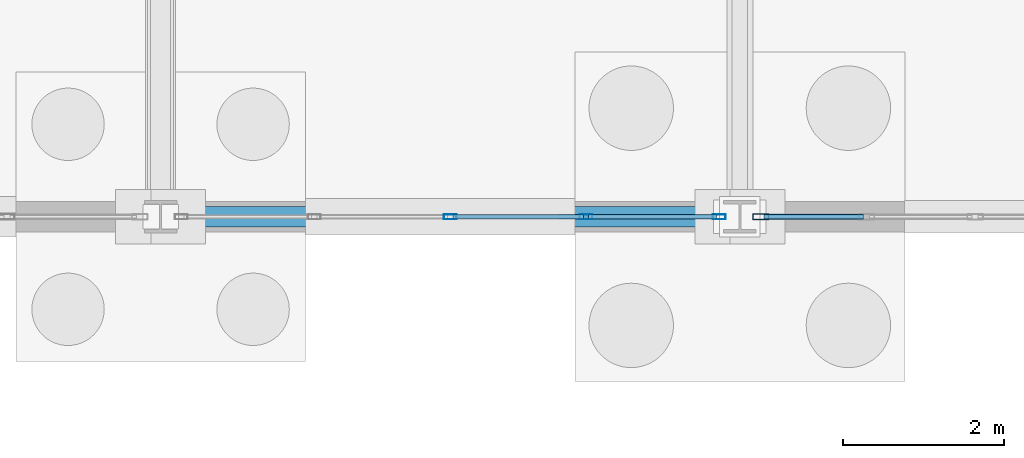
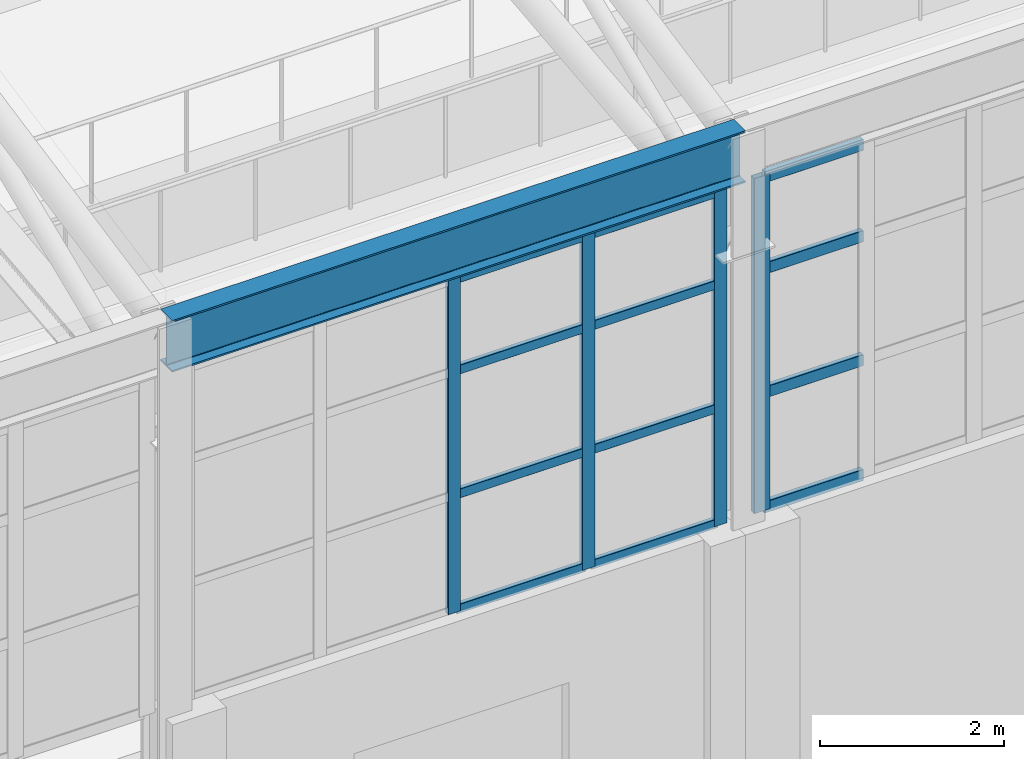
# One storey, part 129 of 293: 16 members, 1 beam, 2 elements without a shape of their own.
"""IFC4 building model written with IfcOpenShell, lengths in metres."""

import ifcopenshell
import ifcopenshell.guid

model = None  # the IFC model being written
_history = None  # IfcOwnerHistory: only IFC2X3 demands one
_inside = {}  # id of a spatial element -> (the spatial element, [elements in it])
_under = {}  # id of a project, library or spatial element -> (it, [spatial elements below it])
_declared = {}  # id of a project -> (the project, [libraries it declares])
_typed = {}  # id of a type object -> (the type object, [elements of that type])
_made_of = {}  # id of a material, layer set ... -> (it, [elements and type objects made of it])


def new_model(schema):
    """Start an empty IFC model of exactly this schema.

    Asked for "IFC4X3", IfcOpenShell would pick the latest addendum, in which some entities
    have other attributes; the version numbers below select the first issue.
    IFC2X3 requires an IfcOwnerHistory on every rooted entity: one is made here for all.
    """
    global model, _history
    if schema == "IFC4X3":
        model = ifcopenshell.file(schema_version=(4, 3, 0, 0))
    else:
        model = ifcopenshell.file(schema=schema)
    _inside.clear()
    _under.clear()
    _declared.clear()
    _typed.clear()
    _made_of.clear()
    _history = None
    if model.schema == "IFC2X3":
        org = make("IfcOrganization", Name="unknown")
        user = make(
            "IfcPersonAndOrganization",
            ThePerson=make("IfcPerson", FamilyName="unknown"),
            TheOrganization=org,
        )
        app = make(
            "IfcApplication",
            ApplicationDeveloper=org,
            Version="unknown",
            ApplicationFullName="unknown",
            ApplicationIdentifier="unknown",
        )
        _history = make(
            "IfcOwnerHistory",
            OwningUser=user,
            OwningApplication=app,
            ChangeAction="ADDED",
            CreationDate=0,
        )
    return model


def make(cls, **values):
    """One entity of the class cls with the attributes given. An attribute that is None is left unset."""
    return model.create_entity(
        cls, **{name: value for name, value in values.items() if value is not None}
    )


def rooted(cls, **values):
    """An entity with a GlobalId (a new one), such as an element, a storey or a relation."""
    return make(cls, GlobalId=ifcopenshell.guid.new(), OwnerHistory=_history, **values)


def si_unit(unit_type, name, prefix=None):
    """IfcSIUnit, for example si_unit("LENGTHUNIT", "METRE", prefix="MILLI")."""
    return make("IfcSIUnit", UnitType=unit_type, Prefix=prefix, Name=name)


def assignment(units):
    """IfcUnitAssignment: the units of a project."""
    return None if units is None else make("IfcUnitAssignment", Units=units)


def point(xyz):
    """IfcCartesianPoint."""
    return None if xyz is None else make("IfcCartesianPoint", Coordinates=xyz)


def direction(xyz):
    """IfcDirection."""
    return None if xyz is None else make("IfcDirection", DirectionRatios=xyz)


def frame(location, z_axis=None, x_axis=None):
    """IfcAxis2Placement3D, a coordinate frame: its origin and axes. An axis left out is left unset."""
    return make(
        "IfcAxis2Placement3D",
        Location=point(location),
        Axis=direction(z_axis),
        RefDirection=direction(x_axis),
    )


def frame_2d(location, x_axis=None):
    """IfcAxis2Placement2D, a coordinate frame in the plane: its origin and x axis."""
    return make(
        "IfcAxis2Placement2D", Location=point(location), RefDirection=direction(x_axis)
    )


def origin():
    """The frame at (0, 0, 0) with its axes left unset."""
    return frame((0.0, 0.0, 0.0))


def origin_2d():
    """The frame at (0, 0) in the plane with its x axis left unset."""
    return frame_2d((0.0, 0.0))


def place(relative_to, where):
    """IfcLocalPlacement: puts the frame where relative to a parent placement (None: the world)."""
    return make(
        "IfcLocalPlacement", PlacementRelTo=relative_to, RelativePlacement=where
    )


def context(
    kind, dimensions, precision=None, world=None, true_north=None, identifier=None
):
    """IfcGeometricRepresentationContext, for example the 3D "Model" context."""
    return make(
        "IfcGeometricRepresentationContext",
        ContextIdentifier=identifier,
        ContextType=kind,
        CoordinateSpaceDimension=dimensions,
        Precision=precision,
        WorldCoordinateSystem=world,
        TrueNorth=true_north,
    )


def subcontext(parent, identifier, kind, view, scale=None):
    """IfcGeometricRepresentationSubContext, for example "Body" below "Model"."""
    return make(
        "IfcGeometricRepresentationSubContext",
        ContextIdentifier=identifier,
        ContextType=kind,
        ParentContext=parent,
        TargetScale=scale,
        TargetView=view,
    )


def project(units=None, contexts=None):
    """IfcProject with its units and contexts."""
    return rooted(
        "IfcProject",
        Name="project",
        RepresentationContexts=contexts,
        UnitsInContext=assignment(units),
    )


def spatial(cls, under=None, at=None, **own):
    """A site, building, storey or space (cls), placed at a placement, below another one or the project."""
    s = rooted(cls, ObjectPlacement=at, **own)
    if under is not None:
        _under.setdefault(under.id(), (under, []))[1].append(s)
    return s


def profile(cls, at=None, kind="AREA", **sizes):
    """A parametric profile (cls). Its sizes go by their IFC names, for example OverallWidth=200.0."""
    return make(cls, ProfileType=kind, Position=at, **sizes)


def hollow_rectangle(**sizes):
    """IfcRectangleHollowProfileDef."""
    return profile("IfcRectangleHollowProfileDef", **sizes)


def i_section(**sizes):
    """IfcIShapeProfileDef."""
    return profile("IfcIShapeProfileDef", **sizes)


def extrude(swept, where, along, depth):
    """IfcExtrudedAreaSolid: the profile swept, set in the frame where, extruded along a direction by depth."""
    return make(
        "IfcExtrudedAreaSolid",
        SweptArea=swept,
        Position=where,
        ExtrudedDirection=direction(along),
        Depth=depth,
    )


def shape(context_of_items, identifier, shape_type, items):
    """IfcShapeRepresentation: the items that make up one representation, for example the "Body"."""
    return make(
        "IfcShapeRepresentation",
        ContextOfItems=context_of_items,
        RepresentationIdentifier=identifier,
        RepresentationType=shape_type,
        Items=items,
    )


def material(Name=None, Category=None):
    """IfcMaterial."""
    return make("IfcMaterial", Name=Name, Category=Category)


def layer(
    of_material, thickness, ventilated=None, Name=None, Category=None, Priority=None
):
    """IfcMaterialLayer: one layer of a wall or slab, of a material (None: an air gap)."""
    return make(
        "IfcMaterialLayer",
        Material=of_material,
        LayerThickness=thickness,
        IsVentilated=ventilated,
        Name=Name,
        Category=Category,
        Priority=Priority,
    )


def layer_set(layers, Name=None):
    """IfcMaterialLayerSet."""
    return make("IfcMaterialLayerSet", MaterialLayers=layers, LayerSetName=Name)


def material_profile(
    of_material, cross_section, Name=None, Category=None, Priority=None
):
    """IfcMaterialProfile: a cross section and its material."""
    return make(
        "IfcMaterialProfile",
        Name=Name,
        Material=of_material,
        Profile=cross_section,
        Priority=Priority,
        Category=Category,
    )


def profile_set(profiles, Name=None, composite=None):
    """IfcMaterialProfileSet."""
    return make(
        "IfcMaterialProfileSet",
        Name=Name,
        MaterialProfiles=profiles,
        CompositeProfile=composite,
    )


def made_of(thing, what):
    """Note that an element or type object is made of a material, layer set ...; save() writes the relation."""
    if what is not None:
        _made_of.setdefault(what.id(), (what, []))[1].append(thing)
    return thing


def type_object(cls, material=None, **own):
    """A type object (cls), such as IfcWallType, which elements share."""
    return made_of(rooted(cls, **own), material)


def element(
    cls,
    number,
    at=None,
    inside=None,
    cuts=None,
    type_object=None,
    material=None,
    context=None,
    identifier="Body",
    shape_type=None,
    held_by="IfcProductDefinitionShape",
    body=None,
    shapes=None,
    **own,
):
    """One element of the class cls, such as IfcWall. Its Tag is "e" and its number.

    at: its placement. inside: the storey or other place that contains it. cuts: it is an
    opening in that element (IfcRelVoidsElement). A single representation is given by context,
    identifier, shape_type and body (its items); several are given by shapes. held_by: the class
    of the entity that holds the representations. save() writes the other relations.
    """
    e = rooted(cls, Tag="e%d" % number, ObjectPlacement=at, **own)
    if body is not None:
        shapes = [shape(context, identifier, shape_type, body)]
    if shapes is not None:
        e.Representation = make(held_by, Representations=shapes)
    if inside is not None:
        _inside.setdefault(inside.id(), (inside, []))[1].append(e)
    if cuts is not None:
        rooted(
            "IfcRelVoidsElement", RelatingBuildingElement=cuts, RelatedOpeningElement=e
        )
    if type_object is not None:
        _typed.setdefault(type_object.id(), (type_object, []))[1].append(e)
    return made_of(e, material)


def aggregate(whole, parts):
    """IfcRelAggregates: a whole, such as a stair, and the parts it consists of."""
    return rooted("IfcRelAggregates", RelatingObject=whole, RelatedObjects=parts)


def save(model, path):
    """Write the relations noted so far, then the file.

    IfcRelAggregates (storeys below a building ...), IfcRelContainedInSpatialStructure (elements
    in a storey), IfcRelDefinesByType, IfcRelAssociatesMaterial and IfcRelDeclares: one each for
    every whole, place, type object, material and project.
    """
    for whole, parts in _under.values():
        aggregate(whole, parts)
    for where, things in _inside.values():
        rooted(
            "IfcRelContainedInSpatialStructure",
            RelatedElements=things,
            RelatingStructure=where,
        )
    for kind, things in _typed.values():
        rooted("IfcRelDefinesByType", RelatedObjects=things, RelatingType=kind)
    for what, things in _made_of.values():
        rooted("IfcRelAssociatesMaterial", RelatedObjects=things, RelatingMaterial=what)
    for by, libraries in _declared.values():
        rooted("IfcRelDeclares", RelatingContext=by, RelatedDefinitions=libraries)
    model.write(path)


model = new_model("IFC4")

# Units and contexts
model_context = context("Model", 3, precision=1e-05, world=origin(), true_north=direction((0.0, 1.0)))
body_context = subcontext(model_context, "Body", "Model", "MODEL_VIEW")
ifc_project = project(units=[si_unit("LENGTHUNIT", "METRE"), si_unit("AREAUNIT", "SQUARE_METRE"), si_unit("VOLUMEUNIT", "CUBIC_METRE"), si_unit("PLANEANGLEUNIT", "RADIAN"), si_unit("MASSUNIT", "GRAM", prefix="KILO")], contexts=[model_context])

# Site, building, storey
site_placement = place(None, origin())
site = spatial("IfcSite", under=ifc_project, at=site_placement, CompositionType="ELEMENT")
building_placement = place(site_placement, origin())
building = spatial("IfcBuilding", under=site, at=building_placement, Name="Kemerveld Promenade Tramway Depot", CompositionType="ELEMENT")
storey_placement = place(building_placement, origin())
storey = spatial("IfcBuildingStorey", under=building, at=storey_placement, Name="L00", CompositionType="ELEMENT", Elevation=0.0)

# Beam
ifc_material_1 = material(Name="Steel S355", Category="steel")
ifc_material_profile_1 = material_profile(ifc_material_1, i_section(OverallWidth=0.25439453125, OverallDepth=0.6875, WebThickness=0.01318359375, FlangeThickness=0.02099609375, FilletRadius=0.01513671875, at=origin_2d()), Name="686x254x152 UB")
ifc_profile_set_1 = profile_set([ifc_material_profile_1], Name="Steel S355")
beam_type = type_object("IfcBeamType", Name="BM-G03", PredefinedType="BEAM", material=ifc_profile_set_1)
beam_placement = place(storey_placement, frame((86.39990234375, 84.0, 11.056396484375), z_axis=(1.0, 0.0, 0.0), x_axis=(0.0, 1.0, 0.0)))
element("IfcBeam", 1, at=beam_placement, inside=storey, type_object=beam_type, Name="BM-SHED-EAVE-N-13", PredefinedType="BEAM", context=body_context, shape_type="SweptSolid", body=[
    extrude(i_section(OverallWidth=0.25439453125, OverallDepth=0.6875, WebThickness=0.01318359375, FlangeThickness=0.02099609375, FilletRadius=0.01513671875, at=origin_2d()), origin(), (0.0, 0.0, 1.0), 7.2001953125),
])

# Curtain wall, members
ifc_material_2 = material(Name="Bronze anodised aluminium and solar glass", Category="aluminium")
ifc_layer_1 = layer(ifc_material_2, 0.159912109375)
ifc_layer_set_1 = layer_set([ifc_layer_1], Name="CW-SYS-11")
curtain_wall_type_1 = type_object("IfcCurtainWallType", Name="CW-SYS-11", PredefinedType="USERDEFINED", material=ifc_layer_set_1)
curtain_wall_1_placement = place(storey_placement, origin())
curtain_wall_1 = element("IfcCurtainWall", 2, at=curtain_wall_1_placement, inside=storey, type_object=curtain_wall_type_1, Name="CW-V1-S-08", ObjectType="GLAZED_CURTAIN_WALL", PredefinedType="USERDEFINED")
ifc_material_3 = material(Name="Bronze anodised aluminium", Category="aluminium")
ifc_material_profile_2 = material_profile(ifc_material_3, hollow_rectangle(XDim=0.06494140625, YDim=0.159912109375, WallThickness=0.00390625, InnerFilletRadius=0.001953125, OuterFilletRadius=0.00390625, at=origin_2d()), Name="CW-MUL-160x65")
ifc_profile_set_2 = profile_set([ifc_material_profile_2], Name="Bronze anodised aluminium")
member_type_1 = type_object("IfcMemberType", Name="CW-MUL-A", PredefinedType="MULLION", material=ifc_profile_set_2)
member_1_placement = place(storey_placement, frame((93.34423828125, 84.0, 6.199951171875), z_axis=(0.0, 0.0, 1.0), x_axis=(0.0, -1.0, 0.0)))
member_1 = element("IfcMember", 3, at=member_1_placement, type_object=member_type_1, Name="CW11 mullion 1", PredefinedType="MULLION", context=body_context, shape_type="SweptSolid", body=[
    extrude(hollow_rectangle(XDim=0.06494140625, YDim=0.159912109375, WallThickness=0.00390625, InnerFilletRadius=0.001953125, OuterFilletRadius=0.00390625, at=origin_2d()), origin(), (0.0, 0.0, 1.0), 4.449951171875),
])
member_2_placement = place(storey_placement, frame((91.6884765625, 84.0, 6.199951171875), z_axis=(0.0, 0.0, 1.0), x_axis=(0.0, -1.0, 0.0)))
member_2 = element("IfcMember", 4, at=member_2_placement, type_object=member_type_1, Name="CW11 mullion 2", PredefinedType="MULLION", context=body_context, shape_type="SweptSolid", body=[
    extrude(hollow_rectangle(XDim=0.06494140625, YDim=0.159912109375, WallThickness=0.00390625, InnerFilletRadius=0.001953125, OuterFilletRadius=0.00390625, at=origin_2d()), origin(), (0.0, 0.0, 1.0), 4.449951171875),
])
member_3_placement = place(storey_placement, frame((90.0, 84.0, 6.199951171875), z_axis=(0.0, 0.0, 1.0), x_axis=(0.0, -1.0, 0.0)))
member_3 = element("IfcMember", 5, at=member_3_placement, type_object=member_type_1, Name="CW11 mullion 3", PredefinedType="MULLION", context=body_context, shape_type="SweptSolid", body=[
    extrude(hollow_rectangle(XDim=0.06494140625, YDim=0.159912109375, WallThickness=0.00390625, InnerFilletRadius=0.001953125, OuterFilletRadius=0.00390625, at=origin_2d()), origin(), (0.0, 0.0, 1.0), 4.449951171875),
])

# Curtain wall, member
ifc_layer_2 = layer(ifc_material_2, 0.199951171875)
ifc_layer_set_2 = layer_set([ifc_layer_2], Name="CW-SYS-12")
curtain_wall_type_2 = type_object("IfcCurtainWallType", Name="CW-SYS-12", PredefinedType="USERDEFINED", material=ifc_layer_set_2)
curtain_wall_2_placement = place(storey_placement, origin())
curtain_wall_2 = element("IfcCurtainWall", 6, at=curtain_wall_2_placement, inside=storey, type_object=curtain_wall_type_2, Name="CW-V1-S-09", ObjectType="GLAZED_CURTAIN_WALL", PredefinedType="USERDEFINED")
ifc_material_profile_3 = material_profile(ifc_material_3, hollow_rectangle(XDim=0.074951171875, YDim=0.199951171875, WallThickness=0.0048828125, InnerFilletRadius=0.001953125, OuterFilletRadius=0.0048828125, at=origin_2d()), Name="CW-MUL-200x75")
ifc_profile_set_3 = profile_set([ifc_material_profile_3], Name="Bronze anodised aluminium")
member_type_2 = type_object("IfcMemberType", Name="CW-MUL-B", PredefinedType="MULLION", material=ifc_profile_set_3)
member_4_placement = place(storey_placement, frame((93.860595703125, 84.0, 6.199951171875), z_axis=(0.0, 0.0, 1.0), x_axis=(0.0, -1.0, 0.0)))
member_4 = element("IfcMember", 7, at=member_4_placement, type_object=member_type_2, Name="CW12 mullion 6", PredefinedType="MULLION", context=body_context, shape_type="SweptSolid", body=[
    extrude(hollow_rectangle(XDim=0.074951171875, YDim=0.199951171875, WallThickness=0.0048828125, InnerFilletRadius=0.001953125, OuterFilletRadius=0.0048828125, at=origin_2d()), origin(), (0.0, 0.0, 1.0), 4.449951171875),
])

# Member
ifc_material_profile_4 = material_profile(ifc_material_3, hollow_rectangle(XDim=0.06005859375, YDim=0.1201171875, WallThickness=0.00390625, InnerFilletRadius=0.001953125, OuterFilletRadius=0.00390625, at=origin_2d()), Name="CW-TRN-120x60")
ifc_profile_set_4 = profile_set([ifc_material_profile_4], Name="Bronze anodised aluminium")
member_type_3 = type_object("IfcMemberType", Name="CW-TRN-A", PredefinedType="USERDEFINED", material=ifc_profile_set_4)
member_5_placement = place(storey_placement, frame((93.311767578125, 84.0, 6.22998046875), z_axis=(-1.0, 0.0, 0.0), x_axis=(0.0, -1.0, 0.0)))
member_5 = element("IfcMember", 8, at=member_5_placement, type_object=member_type_3, Name="CW11 transom 1.1", ObjectType="TRANSOM", PredefinedType="USERDEFINED", context=body_context, shape_type="SweptSolid", body=[
    extrude(hollow_rectangle(XDim=0.06005859375, YDim=0.1201171875, WallThickness=0.00390625, InnerFilletRadius=0.001953125, OuterFilletRadius=0.00390625, at=origin_2d()), origin(), (0.0, 0.0, 1.0), 1.5908203125),
])

member_6_placement = place(storey_placement, frame((93.311767578125, 84.0, 7.758056640625), z_axis=(-1.0, 0.0, 0.0), x_axis=(0.0, -1.0, 0.0)))
member_6 = element("IfcMember", 9, at=member_6_placement, type_object=member_type_3, Name="CW11 transom 1.2", ObjectType="TRANSOM", PredefinedType="USERDEFINED", context=body_context, shape_type="SweptSolid", body=[
    extrude(hollow_rectangle(XDim=0.06005859375, YDim=0.1201171875, WallThickness=0.00390625, InnerFilletRadius=0.001953125, OuterFilletRadius=0.00390625, at=origin_2d()), origin(), (0.0, 0.0, 1.0), 1.5908203125),
])

member_7_placement = place(storey_placement, frame((93.311767578125, 84.0, 9.404052734375), z_axis=(-1.0, 0.0, 0.0), x_axis=(0.0, -1.0, 0.0)))
member_7 = element("IfcMember", 10, at=member_7_placement, type_object=member_type_3, Name="CW11 transom 1.3", ObjectType="TRANSOM", PredefinedType="USERDEFINED", context=body_context, shape_type="SweptSolid", body=[
    extrude(hollow_rectangle(XDim=0.06005859375, YDim=0.1201171875, WallThickness=0.00390625, InnerFilletRadius=0.001953125, OuterFilletRadius=0.00390625, at=origin_2d()), origin(), (0.0, 0.0, 1.0), 1.5908203125),
])

member_8_placement = place(storey_placement, frame((93.311767578125, 84.0, 10.6201171875), z_axis=(-1.0, 0.0, 0.0), x_axis=(0.0, -1.0, 0.0)))
member_8 = element("IfcMember", 11, at=member_8_placement, type_object=member_type_3, Name="CW11 transom 1.4", ObjectType="TRANSOM", PredefinedType="USERDEFINED", context=body_context, shape_type="SweptSolid", body=[
    extrude(hollow_rectangle(XDim=0.06005859375, YDim=0.1201171875, WallThickness=0.00390625, InnerFilletRadius=0.001953125, OuterFilletRadius=0.00390625, at=origin_2d()), origin(), (0.0, 0.0, 1.0), 1.5908203125),
])

member_9_placement = place(storey_placement, frame((91.656005859375, 84.0, 6.22998046875), z_axis=(-1.0, 0.0, 0.0), x_axis=(0.0, -1.0, 0.0)))
member_9 = element("IfcMember", 12, at=member_9_placement, type_object=member_type_3, Name="CW11 transom 2.1", ObjectType="TRANSOM", PredefinedType="USERDEFINED", context=body_context, shape_type="SweptSolid", body=[
    extrude(hollow_rectangle(XDim=0.06005859375, YDim=0.1201171875, WallThickness=0.00390625, InnerFilletRadius=0.001953125, OuterFilletRadius=0.00390625, at=origin_2d()), origin(), (0.0, 0.0, 1.0), 1.62353515625),
])

member_10_placement = place(storey_placement, frame((91.656005859375, 84.0, 7.758056640625), z_axis=(-1.0, 0.0, 0.0), x_axis=(0.0, -1.0, 0.0)))
member_10 = element("IfcMember", 13, at=member_10_placement, type_object=member_type_3, Name="CW11 transom 2.2", ObjectType="TRANSOM", PredefinedType="USERDEFINED", context=body_context, shape_type="SweptSolid", body=[
    extrude(hollow_rectangle(XDim=0.06005859375, YDim=0.1201171875, WallThickness=0.00390625, InnerFilletRadius=0.001953125, OuterFilletRadius=0.00390625, at=origin_2d()), origin(), (0.0, 0.0, 1.0), 1.62353515625),
])

member_11_placement = place(storey_placement, frame((91.656005859375, 84.0, 9.404052734375), z_axis=(-1.0, 0.0, 0.0), x_axis=(0.0, -1.0, 0.0)))
member_11 = element("IfcMember", 14, at=member_11_placement, type_object=member_type_3, Name="CW11 transom 2.3", ObjectType="TRANSOM", PredefinedType="USERDEFINED", context=body_context, shape_type="SweptSolid", body=[
    extrude(hollow_rectangle(XDim=0.06005859375, YDim=0.1201171875, WallThickness=0.00390625, InnerFilletRadius=0.001953125, OuterFilletRadius=0.00390625, at=origin_2d()), origin(), (0.0, 0.0, 1.0), 1.62353515625),
])

member_12_placement = place(storey_placement, frame((91.656005859375, 84.0, 10.6201171875), z_axis=(-1.0, 0.0, 0.0), x_axis=(0.0, -1.0, 0.0)))
member_12 = element("IfcMember", 15, at=member_12_placement, type_object=member_type_3, Name="CW11 transom 2.4", ObjectType="TRANSOM", PredefinedType="USERDEFINED", context=body_context, shape_type="SweptSolid", body=[
    extrude(hollow_rectangle(XDim=0.06005859375, YDim=0.1201171875, WallThickness=0.00390625, InnerFilletRadius=0.001953125, OuterFilletRadius=0.00390625, at=origin_2d()), origin(), (0.0, 0.0, 1.0), 1.62353515625),
])

aggregate(curtain_wall_1, [member_1, member_2, member_3, member_5, member_6, member_7, member_8, member_9, member_10, member_11, member_12])

ifc_material_profile_5 = material_profile(ifc_material_3, hollow_rectangle(XDim=0.06494140625, YDim=0.14990234375, WallThickness=0.00439453125, InnerFilletRadius=0.001953125, OuterFilletRadius=0.00439453125, at=origin_2d()), Name="CW-TRN-150x65")
ifc_profile_set_5 = profile_set([ifc_material_profile_5], Name="Bronze anodised aluminium")
member_type_4 = type_object("IfcMemberType", Name="CW-TRN-B", PredefinedType="USERDEFINED", material=ifc_profile_set_5)
member_13_placement = place(storey_placement, frame((95.136474609375, 84.0, 6.232421875), z_axis=(-1.0, 0.0, 0.0), x_axis=(0.0, -1.0, 0.0)))
member_13 = element("IfcMember", 16, at=member_13_placement, type_object=member_type_4, Name="CW12 transom 5.1", ObjectType="TRANSOM", PredefinedType="USERDEFINED", context=body_context, shape_type="SweptSolid", body=[
    extrude(hollow_rectangle(XDim=0.06494140625, YDim=0.14990234375, WallThickness=0.00439453125, InnerFilletRadius=0.001953125, OuterFilletRadius=0.00439453125, at=origin_2d()), origin(), (0.0, 0.0, 1.0), 1.23828125),
])

member_14_placement = place(storey_placement, frame((95.136474609375, 84.0, 7.758056640625), z_axis=(-1.0, 0.0, 0.0), x_axis=(0.0, -1.0, 0.0)))
member_14 = element("IfcMember", 17, at=member_14_placement, type_object=member_type_4, Name="CW12 transom 5.2", ObjectType="TRANSOM", PredefinedType="USERDEFINED", context=body_context, shape_type="SweptSolid", body=[
    extrude(hollow_rectangle(XDim=0.06494140625, YDim=0.14990234375, WallThickness=0.00439453125, InnerFilletRadius=0.001953125, OuterFilletRadius=0.00439453125, at=origin_2d()), origin(), (0.0, 0.0, 1.0), 1.23828125),
])

member_15_placement = place(storey_placement, frame((95.136474609375, 84.0, 9.404052734375), z_axis=(-1.0, 0.0, 0.0), x_axis=(0.0, -1.0, 0.0)))
member_15 = element("IfcMember", 18, at=member_15_placement, type_object=member_type_4, Name="CW12 transom 5.3", ObjectType="TRANSOM", PredefinedType="USERDEFINED", context=body_context, shape_type="SweptSolid", body=[
    extrude(hollow_rectangle(XDim=0.06494140625, YDim=0.14990234375, WallThickness=0.00439453125, InnerFilletRadius=0.001953125, OuterFilletRadius=0.00439453125, at=origin_2d()), origin(), (0.0, 0.0, 1.0), 1.23828125),
])

member_16_placement = place(storey_placement, frame((95.136474609375, 84.0, 10.617431640625), z_axis=(-1.0, 0.0, 0.0), x_axis=(0.0, -1.0, 0.0)))
member_16 = element("IfcMember", 19, at=member_16_placement, type_object=member_type_4, Name="CW12 transom 5.4", ObjectType="TRANSOM", PredefinedType="USERDEFINED", context=body_context, shape_type="SweptSolid", body=[
    extrude(hollow_rectangle(XDim=0.06494140625, YDim=0.14990234375, WallThickness=0.00439453125, InnerFilletRadius=0.001953125, OuterFilletRadius=0.00439453125, at=origin_2d()), origin(), (0.0, 0.0, 1.0), 1.23828125),
])

aggregate(curtain_wall_2, [member_4, member_13, member_14, member_15, member_16])

save(model, "model.ifc")
